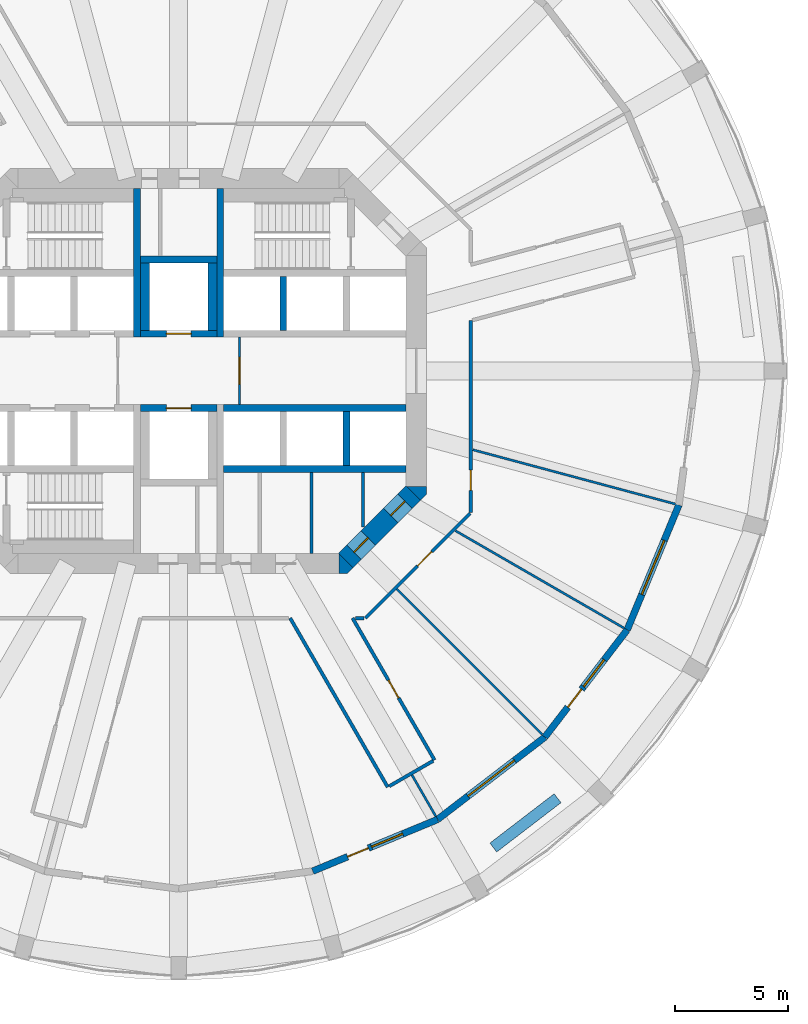
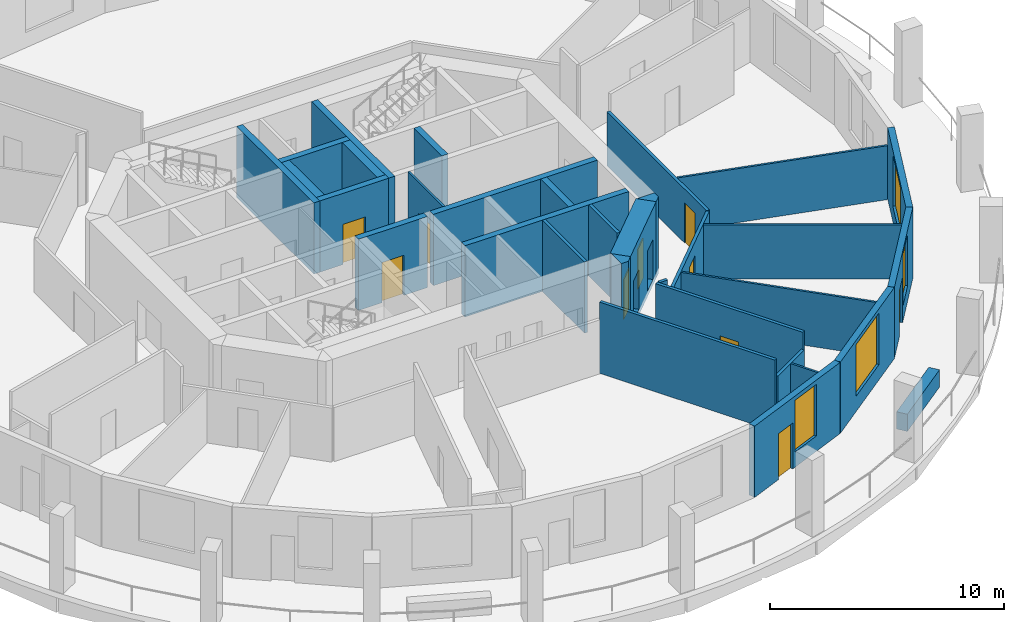
# One storey, part 4 of 9: 32 walls, 10 doors, 4 windows, 14 openings.
"""IFC4 building model written with IfcOpenShell, lengths in metres."""

from ifc_helpers import new_model, si_unit, direction, frame, frame_2d, origin, place, context, subcontext, project, spatial, polyline, rectangle, outline, extrude, material, layer, layer_set, type_object, element, fill, save


model = new_model("IFC4")

# Units and contexts
model_context = context("Model", 3, precision=1e-05, world=origin(), true_north=direction((0.0, 1.0)))
body_context = subcontext(model_context, "Body", "Model", "MODEL_VIEW")
ifc_project = project(units=[si_unit("LENGTHUNIT", "METRE"), si_unit("AREAUNIT", "SQUARE_METRE"), si_unit("VOLUMEUNIT", "CUBIC_METRE"), si_unit("PLANEANGLEUNIT", "RADIAN"), si_unit("MASSUNIT", "GRAM", prefix="KILO")], contexts=[model_context])

# Site, building, storey
site_placement = place(None, origin())
site = spatial("IfcSite", under=ifc_project, at=site_placement, CompositionType="ELEMENT")
building_placement = place(site_placement, origin())
building = spatial("IfcBuilding", under=site, at=building_placement, Name="Torre Triforio", CompositionType="ELEMENT")
storey_placement = place(building_placement, frame((0.0, 0.0, 63.0)))
storey = spatial("IfcBuildingStorey", under=building, at=storey_placement, Name="L13", CompositionType="ELEMENT", Elevation=63.0)

# Walls
ifc_material_1 = material(Name="Concrete C60", Category="concrete")
ifc_layer_1 = layer(ifc_material_1, 0.300048828125)
ifc_layer_set_1 = layer_set([ifc_layer_1], Name="Concrete C60")
wall_type_1 = type_object("IfcWallType", Name="Core wall 300 mm C60 EI 120", PredefinedType="SHEAR", material=ifc_layer_set_1)
for number, where, z_axis, x_axis, name in (
    (1, (-1.85009765625, 1.5, 0.0), (0.0, 0.0, 1.0), (0.0, 1.0, 0.0), "Core wall"),
    (2, (1.85009765625, 1.5, 0.0), (0.0, 0.0, 1.0), (0.0, 1.0, 0.0), "Core wall"),
):
    element("IfcWall", number, at=place(storey_placement, frame(where, z_axis=z_axis, x_axis=x_axis)), inside=storey, type_object=wall_type_1, Name=name, PredefinedType="SHEAR", context=body_context, shape_type="SweptSolid", body=[
        extrude(rectangle(XDim=6.60009765625, YDim=0.300048828125, at=frame_2d((3.300048828125, 0.0))), origin(), (0.0, 0.0, 1.0), 3.719970703125),
    ])

# Wall, openings, doors
ifc_layer_2 = layer(ifc_material_1, 0.89990234375)
ifc_layer_set_2 = layer_set([ifc_layer_2], Name="Concrete C60")
wall_type_2 = type_object("IfcWallType", Name="Core wall 900 mm C60 EI 120", PredefinedType="SHEAR", material=ifc_layer_set_2)
wall_1_placement = place(storey_placement, frame((10.418212890625, -5.418212890625, -0.280029296875), z_axis=(0.0, 0.0, 1.0), x_axis=(-0.707106781187, -0.707106781187, 0.0)))
wall_1 = element("IfcWall", 3, at=wall_1_placement, inside=storey, type_object=wall_type_2, Name="Core wall", PredefinedType="SHEAR", context=body_context, shape_type="SweptSolid", body=[
    extrude(rectangle(XDim=4.24267578125, YDim=0.89990234375, at=frame_2d((2.121337890625, 0.0))), origin(), (0.0, 0.0, 1.0), 4.0),
])
opening_1_placement = place(wall_1_placement, frame((2.82275390625, 0.0, 0.280029296875)))
opening_1 = element("IfcOpeningElement", 4, at=opening_1_placement, cuts=wall_1, Name="Opening SE-03", PredefinedType="OPENING", context=body_context, shape_type="SweptSolid", body=[
    extrude(rectangle(XDim=0.89990234375, YDim=2.10009765625, at=frame_2d((0.449951171875, 1.050048828125))), frame((0.0, 0.4599609375, 0.0), z_axis=(0.0, -1.0, 0.0), x_axis=(1.0, 0.0, 0.0)), (0.0, 0.0, 1.0), 0.919921875),
])
opening_2_placement = place(wall_1_placement, frame((0.52001953125, 0.0, 0.280029296875)))
opening_2 = element("IfcOpeningElement", 5, at=opening_2_placement, cuts=wall_1, Name="Opening SE-04", PredefinedType="OPENING", context=body_context, shape_type="SweptSolid", body=[
    extrude(rectangle(XDim=0.89990234375, YDim=2.10009765625, at=frame_2d((0.449951171875, 1.050048828125))), frame((0.0, 0.4599609375, 0.0), z_axis=(0.0, -1.0, 0.0), x_axis=(1.0, 0.0, 0.0)), (0.0, 0.0, 1.0), 0.919921875),
])
ifc_material_2 = material(Name="Hollow metal fire door leaf")
door_type_1 = type_object("IfcDoorType", Name="Room door 900 x 2100 EI 60", OperationType="NOTDEFINED", PredefinedType="DOOR", material=ifc_material_2)
door_1_placement = place(opening_1_placement, origin())
door_1 = element("IfcDoor", 6, at=door_1_placement, inside=storey, type_object=door_type_1, Name="Core door SE-03", OperationType="SINGLE_SWING_RIGHT", OverallHeight=2.10009765625, OverallWidth=0.89990234375, PredefinedType="DOOR", context=body_context, shape_type="SweptSolid", body=[
    extrude(rectangle(XDim=0.89990234375, YDim=2.10009765625, at=frame_2d((0.449951171875, 1.050048828125))), frame((0.0, 0.02490234375, 0.0), z_axis=(0.0, -1.0, 0.0), x_axis=(1.0, 0.0, 0.0)), (0.0, 0.0, 1.0), 0.050048828125),
])
fill(opening_1, door_1)
door_2_placement = place(opening_2_placement, origin())
door_2 = element("IfcDoor", 7, at=door_2_placement, inside=storey, type_object=door_type_1, Name="Core door SE-04", OperationType="SINGLE_SWING_LEFT", OverallHeight=2.10009765625, OverallWidth=0.89990234375, PredefinedType="DOOR", context=body_context, shape_type="SweptSolid", body=[
    extrude(rectangle(XDim=0.89990234375, YDim=2.10009765625, at=frame_2d((0.449951171875, 1.050048828125))), frame((0.0, 0.02490234375, 0.0), z_axis=(0.0, -1.0, 0.0), x_axis=(1.0, 0.0, 0.0)), (0.0, 0.0, 1.0), 0.050048828125),
])
fill(opening_2, door_2)

# Walls
wall_2_placement = place(storey_placement, frame((0.0, 0.0, -0.280029296875)))
element("IfcWall", 8, at=wall_2_placement, inside=storey, type_object=wall_type_2, Name="Core wall", PredefinedType="SHEAR", context=body_context, shape_type="SweptSolid", body=[
    extrude(outline(polyline([(7.472900390625, -9.0), (7.1298828125, -9.0), (7.1298828125, -8.1298828125), (7.736328125, -8.736328125), (7.472900390625, -9.0)])), origin(), (0.0, 0.0, 1.0), 4.0),
])
wall_3_placement = place(storey_placement, frame((0.0, 0.0, -0.280029296875)))
element("IfcWall", 9, at=wall_3_placement, inside=storey, type_object=wall_type_2, Name="Core wall", PredefinedType="SHEAR", context=body_context, shape_type="SweptSolid", body=[
    extrude(outline(polyline([(11.0, -5.472900390625), (10.736328125, -5.736328125), (10.1298828125, -5.1298828125), (11.0, -5.1298828125), (11.0, -5.472900390625)])), origin(), (0.0, 0.0, 1.0), 4.0),
])

# Wall, opening, door
ifc_material_3 = material(Name="Plasterboard on metal studs")
ifc_layer_3 = layer(ifc_material_3, 0.14990234375)
ifc_layer_set_3 = layer_set([ifc_layer_3], Name="Plasterboard on metal studs")
wall_type_3 = type_object("IfcWallType", Name="Corridor and tenancy wall 150 mm EI 60", PredefinedType="PARTITIONING", material=ifc_layer_set_3)
wall_4_placement = place(storey_placement, frame((12.97509765625, 2.234375, 0.0), z_axis=(0.0, 0.0, 1.0), x_axis=(0.0, -1.0, 0.0)))
wall_4 = element("IfcWall", 10, at=wall_4_placement, inside=storey, type_object=wall_type_3, Name="Partition 15", PredefinedType="PARTITIONING", context=body_context, shape_type="SweptSolid", body=[
    extrude(rectangle(XDim=8.525390625, YDim=0.14990234375, at=frame_2d((4.2626953125, 0.0))), origin(), (0.0, 0.0, 1.0), 2.820068359375),
])
opening_3_placement = place(wall_4_placement, frame((6.64306640625, 0.0, 0.0)))
opening_3 = element("IfcOpeningElement", 11, at=opening_3_placement, cuts=wall_4, Name="Opening N4-08", PredefinedType="OPENING", context=body_context, shape_type="SweptSolid", body=[
    extrude(rectangle(XDim=0.89990234375, YDim=2.10009765625, at=frame_2d((0.449951171875, 1.050048828125))), frame((0.0, 0.0849609375, 0.0), z_axis=(0.0, -1.0, 0.0), x_axis=(1.0, 0.0, 0.0)), (0.0, 0.0, 1.0), 0.169921875),
])
ifc_material_4 = material(Name="Timber", Category="wood")
door_type_2 = type_object("IfcDoorType", Name="Door 900 x 2100 single leaf EI 30", OperationType="NOTDEFINED", PredefinedType="DOOR", material=ifc_material_4)
door_3_placement = place(opening_3_placement, origin())
door_3 = element("IfcDoor", 12, at=door_3_placement, inside=storey, type_object=door_type_2, Name="Door N4-08", OperationType="SINGLE_SWING_LEFT", OverallHeight=2.10009765625, OverallWidth=0.89990234375, PredefinedType="DOOR", context=body_context, shape_type="SweptSolid", body=[
    extrude(rectangle(XDim=0.89990234375, YDim=2.10009765625, at=frame_2d((0.449951171875, 1.050048828125))), frame((0.0, 0.02490234375, 0.0), z_axis=(0.0, -1.0, 0.0), x_axis=(1.0, 0.0, 0.0)), (0.0, 0.0, 1.0), 0.050048828125),
])
fill(opening_3, door_3)

wall_5_placement = place(storey_placement, frame((12.93798828125, -6.327880859375, 0.0), z_axis=(0.0, 0.0, 1.0), x_axis=(-0.707088206597, -0.707125355289, 0.0)))
wall_5 = element("IfcWall", 13, at=wall_5_placement, inside=storey, type_object=wall_type_3, Name="Partition 16", PredefinedType="PARTITIONING", context=body_context, shape_type="SweptSolid", body=[
    extrude(rectangle(XDim=6.572021484375, YDim=0.14990234375, at=frame_2d((3.2861328125, 0.0))), origin(), (0.0, 0.0, 1.0), 2.820068359375),
])
opening_4_placement = place(wall_5_placement, frame((2.39794921875, 0.0, 0.0)))
opening_4 = element("IfcOpeningElement", 14, at=opening_4_placement, cuts=wall_5, Name="Opening N4-07", PredefinedType="OPENING", context=body_context, shape_type="SweptSolid", body=[
    extrude(rectangle(XDim=0.89990234375, YDim=2.10009765625, at=frame_2d((0.449951171875, 1.050048828125))), frame((0.0, 0.0849609375, 0.0), z_axis=(0.0, -1.0, 0.0), x_axis=(1.0, 0.0, 0.0)), (0.0, 0.0, 1.0), 0.169921875),
])
door_4_placement = place(opening_4_placement, origin())
door_4 = element("IfcDoor", 15, at=door_4_placement, inside=storey, type_object=door_type_2, Name="Door N4-07", OperationType="SINGLE_SWING_LEFT", OverallHeight=2.10009765625, OverallWidth=0.89990234375, PredefinedType="DOOR", context=body_context, shape_type="SweptSolid", body=[
    extrude(rectangle(XDim=0.89990234375, YDim=2.10009765625, at=frame_2d((0.449951171875, 1.050048828125))), frame((0.0, 0.02490234375, 0.0), z_axis=(0.0, -1.0, 0.0), x_axis=(1.0, 0.0, 0.0)), (0.0, 0.0, 1.0), 0.050048828125),
])
fill(opening_4, door_4)

# Wall
wall_6_placement = place(storey_placement, frame((8.23828125, -10.97509765625, 0.0), z_axis=(0.0, 0.0, 1.0), x_axis=(-1.0, 0.0, 0.0)))
element("IfcWall", 16, at=wall_6_placement, inside=storey, type_object=wall_type_3, Name="Partition 17", PredefinedType="PARTITIONING", context=body_context, shape_type="SweptSolid", body=[
    extrude(rectangle(XDim=0.38623046875, YDim=0.14990234375, at=frame_2d((0.193115234375, 0.0))), origin(), (0.0, 0.0, 1.0), 3.719970703125),
])

# Wall, opening, door
wall_7_placement = place(storey_placement, frame((7.72216796875, -10.97509765625, 0.0), z_axis=(0.0, 0.0, 1.0), x_axis=(0.499993290699, -0.866029277366, 0.0)))
wall_7 = element("IfcWall", 17, at=wall_7_placement, inside=storey, type_object=wall_type_3, Name="Partition 18", PredefinedType="PARTITIONING", context=body_context, shape_type="SweptSolid", body=[
    extrude(rectangle(XDim=7.28271484375, YDim=0.14990234375, at=frame_2d((3.641357421875, 0.0))), origin(), (0.0, 0.0, 1.0), 3.719970703125),
])
opening_5_placement = place(wall_7_placement, frame((3.19140625, 0.0, 0.0)))
opening_5 = element("IfcOpeningElement", 18, at=opening_5_placement, cuts=wall_7, Name="Opening N4-06", PredefinedType="OPENING", context=body_context, shape_type="SweptSolid", body=[
    extrude(rectangle(XDim=0.89990234375, YDim=2.10009765625, at=frame_2d((0.449951171875, 1.050048828125))), frame((0.0, 0.0849609375, 0.0), z_axis=(0.0, -1.0, 0.0), x_axis=(1.0, 0.0, 0.0)), (0.0, 0.0, 1.0), 0.169921875),
])
door_5_placement = place(opening_5_placement, origin())
door_5 = element("IfcDoor", 19, at=door_5_placement, inside=storey, type_object=door_type_2, Name="Door N4-06", OperationType="SINGLE_SWING_LEFT", OverallHeight=2.10009765625, OverallWidth=0.89990234375, PredefinedType="DOOR", context=body_context, shape_type="SweptSolid", body=[
    extrude(rectangle(XDim=0.89990234375, YDim=2.10009765625, at=frame_2d((0.449951171875, 1.050048828125))), frame((0.0, 0.02490234375, 0.0), z_axis=(0.0, -1.0, 0.0), x_axis=(1.0, 0.0, 0.0)), (0.0, 0.0, 1.0), 0.050048828125),
])
fill(opening_5, door_5)

# Walls
wall_8_placement = place(storey_placement, frame((11.298583984375, -17.31982421875, 0.0), z_axis=(0.0, 0.0, 1.0), x_axis=(-0.866017533419, -0.500013631625, 0.0)))
element("IfcWall", 20, at=wall_8_placement, inside=storey, type_object=wall_type_3, Name="Partition 19", PredefinedType="PARTITIONING", context=body_context, shape_type="SweptSolid", body=[
    extrude(rectangle(XDim=2.25, YDim=0.14990234375, at=frame_2d((1.125, 0.0))), origin(), (0.0, 0.0, 1.0), 2.820068359375),
])
wall_9_placement = place(storey_placement, frame((9.28515625, -18.482421875, 0.0), z_axis=(0.0, 0.0, 1.0), x_axis=(-0.500010122307, 0.866019559589, 0.0)))
element("IfcWall", 21, at=wall_9_placement, inside=storey, type_object=wall_type_3, Name="Partition 20", PredefinedType="PARTITIONING", context=body_context, shape_type="SweptSolid", body=[
    extrude(rectangle(XDim=8.668701171875, YDim=0.14990234375, at=frame_2d((4.33447265625, 0.0))), origin(), (0.0, 0.0, 1.0), 3.719970703125),
])

# Wall, opening, door
ifc_material_5 = material(Name="Block and board partition")
ifc_layer_4 = layer(ifc_material_5, 0.10009765625)
ifc_layer_set_4 = layer_set([ifc_layer_4], Name="Block and board partition")
wall_type_4 = type_object("IfcWallType", Name="Partition 100 mm EI 120", PredefinedType="PARTITIONING", material=ifc_layer_set_4)
wall_10_placement = place(storey_placement, frame((2.699951171875, -1.5, 0.0), z_axis=(0.0, 0.0, 1.0), x_axis=(0.0, 1.0, 0.0)))
wall_10 = element("IfcWall", 22, at=wall_10_placement, inside=storey, type_object=wall_type_4, Name="Partition", PredefinedType="PARTITIONING", context=body_context, shape_type="SweptSolid", body=[
    extrude(rectangle(XDim=3.0, YDim=0.10009765625, at=frame_2d((1.5, 0.0))), origin(), (0.0, 0.0, 1.0), 3.719970703125),
])
opening_6_placement = place(wall_10_placement, frame((0.89990234375, 0.0, 0.0)))
opening_6 = element("IfcOpeningElement", 23, at=opening_6_placement, cuts=wall_10, Name="Opening FF-E", PredefinedType="OPENING", context=body_context, shape_type="SweptSolid", body=[
    extrude(rectangle(XDim=1.199951171875, YDim=2.10009765625, at=frame_2d((0.60009765625, 1.050048828125))), frame((0.0, 0.06005859375, 0.0), z_axis=(0.0, -1.0, 0.0), x_axis=(1.0, 0.0, 0.0)), (0.0, 0.0, 1.0), 0.1201171875),
])
door_type_3 = type_object("IfcDoorType", Name="Fire-fighting lobby door 1200 x 2100 EI 60", OperationType="NOTDEFINED", PredefinedType="DOOR", material=ifc_material_2)
door_6_placement = place(opening_6_placement, origin())
door_6 = element("IfcDoor", 24, at=door_6_placement, inside=storey, type_object=door_type_3, Name="Core door FF-E", OperationType="SINGLE_SWING_LEFT", OverallHeight=2.10009765625, OverallWidth=1.199951171875, PredefinedType="DOOR", context=body_context, shape_type="SweptSolid", body=[
    extrude(rectangle(XDim=1.199951171875, YDim=2.10009765625, at=frame_2d((0.60009765625, 1.050048828125))), frame((0.0, 0.02490234375, 0.0), z_axis=(0.0, -1.0, 0.0), x_axis=(1.0, 0.0, 0.0)), (0.0, 0.0, 1.0), 0.050048828125),
])
fill(opening_6, door_6)

# Walls
ifc_layer_5 = layer(ifc_material_3, 0.10009765625)
ifc_layer_set_5 = layer_set([ifc_layer_5], Name="Plasterboard on metal studs")
wall_type_5 = type_object("IfcWallType", Name="Partition 100 mm board on metal studs", PredefinedType="PARTITIONING", material=ifc_layer_set_5)
wall_11_placement = place(storey_placement, frame((10.36181640625, -17.947265625, 0.0), z_axis=(0.0, 0.0, 1.0), x_axis=(0.500065834316, -0.865987390988, 0.0)))
element("IfcWall", 25, at=wall_11_placement, inside=storey, type_object=wall_type_5, Name="Partition 37", PredefinedType="PARTITIONING", context=body_context, shape_type="SweptSolid", body=[
    extrude(rectangle(XDim=2.113037109375, YDim=0.10009765625, at=frame_2d((1.056640625, 0.0))), origin(), (0.0, 0.0, 1.0), 2.820068359375),
])
wall_12_placement = place(storey_placement, frame((9.68603515625, -9.68603515625, 0.0), z_axis=(0.0, 0.0, 1.0), x_axis=(0.707106781187, -0.707106781187, 0.0)))
element("IfcWall", 26, at=wall_12_placement, inside=storey, type_object=wall_type_5, Name="Partition 38", PredefinedType="PARTITIONING", context=body_context, shape_type="SweptSolid", body=[
    extrude(rectangle(XDim=9.138427734375, YDim=0.10009765625, at=frame_2d((4.5693359375, 0.0))), origin(), (0.0, 0.0, 1.0), 2.820068359375),
])
wall_13_placement = place(storey_placement, frame((12.294189453125, -7.097900390625, 0.0), z_axis=(0.0, 0.0, 1.0), x_axis=(0.866010547425, -0.500025731086, 0.0)))
element("IfcWall", 27, at=wall_13_placement, inside=storey, type_object=wall_type_5, Name="Partition 39", PredefinedType="PARTITIONING", context=body_context, shape_type="SweptSolid", body=[
    extrude(rectangle(XDim=8.640625, YDim=0.10009765625, at=frame_2d((4.3203125, 0.0))), origin(), (0.0, 0.0, 1.0), 2.820068359375),
])
wall_14_placement = place(storey_placement, frame((13.064208984375, -3.50048828125, 0.0), z_axis=(0.0, 0.0, 1.0), x_axis=(0.965922655056, -0.258830880017, 0.0)))
element("IfcWall", 28, at=wall_14_placement, inside=storey, type_object=wall_type_5, Name="Partition 40", PredefinedType="PARTITIONING", context=body_context, shape_type="SweptSolid", body=[
    extrude(rectangle(XDim=9.311767578125, YDim=0.10009765625, at=frame_2d((4.65576171875, 0.0))), origin(), (0.0, 0.0, 1.0), 2.820068359375),
])
ifc_layer_6 = layer(ifc_material_5, 0.14990234375)
ifc_layer_set_6 = layer_set([ifc_layer_6], Name="Block and board partition")
wall_type_6 = type_object("IfcWallType", Name="Partition 150 mm", PredefinedType="PARTITIONING", material=ifc_layer_set_6)
wall_15_placement = place(storey_placement, frame((5.89697265625, -8.10009765625, 0.0), z_axis=(0.0, 0.0, 1.0), x_axis=(0.0, 1.0, 0.0)))
element("IfcWall", 29, at=wall_15_placement, inside=storey, type_object=wall_type_6, Name="Partition", PredefinedType="PARTITIONING", context=body_context, shape_type="SweptSolid", body=[
    extrude(rectangle(XDim=3.60009765625, YDim=0.14990234375, at=frame_2d((1.800048828125, 0.0))), origin(), (0.0, 0.0, 1.0), 3.719970703125),
])
wall_16_placement = place(storey_placement, frame((8.18896484375, -6.93603515625, 0.0), z_axis=(0.0, 0.0, 1.0), x_axis=(0.0, 1.0, 0.0)))
element("IfcWall", 30, at=wall_16_placement, inside=storey, type_object=wall_type_6, Name="Partition", PredefinedType="PARTITIONING", context=body_context, shape_type="SweptSolid", body=[
    extrude(rectangle(XDim=2.43603515625, YDim=0.14990234375, at=frame_2d((1.218017578125, 0.0))), origin(), (0.0, 0.0, 1.0), 3.719970703125),
])
ifc_material_6 = material(Name="Limestone cladding", Category="masonry")
ifc_layer_7 = layer(ifc_material_6, 0.10009765625)
ifc_material_7 = material(Name="Concrete C40", Category="concrete")
ifc_layer_8 = layer(ifc_material_7, 0.39990234375)
ifc_layer_set_7 = layer_set([ifc_layer_7, ifc_layer_8], Name="Limestone cladding / Concrete C40")
wall_type_7 = type_object("IfcWallType", Name="Planter wall 500", PredefinedType="PARAPET", material=ifc_layer_set_7)
wall_17_placement = place(storey_placement, frame((13.9736328125, -21.16748046875, 0.0), z_axis=(0.0, 0.0, 1.0), x_axis=(0.793359599829, 0.608753271334, 0.0)))
element("IfcWall", 31, at=wall_17_placement, inside=storey, type_object=wall_type_7, Name="Planter L13 bay 21", PredefinedType="PARAPET", context=body_context, shape_type="SweptSolid", body=[
    extrude(rectangle(XDim=3.599853515625, YDim=0.5, at=frame_2d((1.7998046875, 0.0))), origin(), (0.0, 0.0, 1.0), 0.89990234375),
])
ifc_layer_9 = layer(ifc_material_1, 0.300048828125)
ifc_layer_set_8 = layer_set([ifc_layer_9], Name="Concrete C60")
wall_type_8 = type_object("IfcWallType", Name="Shaft wall 300 mm C60 EI 120", PredefinedType="SOLIDWALL", material=ifc_layer_set_8)
for number, where, z_axis, x_axis, name in (
    (32, (2.0, -4.35009765625, 0.0), (0.0, 0.0, 1.0), (1.0, 0.0, 0.0), "Shaft wall"),
    (33, (2.0, -1.64990234375, 0.0), (0.0, 0.0, 1.0), (1.0, 0.0, 0.0), "Shaft wall"),
):
    element("IfcWall", number, at=place(storey_placement, frame(where, z_axis=z_axis, x_axis=x_axis)), inside=storey, type_object=wall_type_8, Name=name, PredefinedType="SOLIDWALL", context=body_context, shape_type="SweptSolid", body=[
        extrude(rectangle(XDim=8.10009765625, YDim=0.300048828125, at=frame_2d((4.050048828125, 0.0))), origin(), (0.0, 0.0, 1.0), 3.719970703125),
    ])
for number, where, z_axis, x_axis, name in (
    (34, (4.64990234375, 1.800048828125, 0.0), (0.0, 0.0, 1.0), (0.0, 1.0, 0.0), "Shaft wall"),
    (35, (7.449951171875, -4.199951171875, 0.0), (0.0, 0.0, 1.0), (0.0, 1.0, 0.0), "Shaft wall"),
):
    element("IfcWall", number, at=place(storey_placement, frame(where, z_axis=z_axis, x_axis=x_axis)), inside=storey, type_object=wall_type_8, Name=name, PredefinedType="SOLIDWALL", context=body_context, shape_type="SweptSolid", body=[
        extrude(rectangle(XDim=2.39990234375, YDim=0.300048828125, at=frame_2d((1.199951171875, 0.0))), origin(), (0.0, 0.0, 1.0), 3.719970703125),
    ])

# Wall, opening, door
wall_18_placement = place(storey_placement, frame((-1.699951171875, 1.64990234375, 0.0), z_axis=(0.0, 0.0, 1.0), x_axis=(1.0, 0.0, 0.0)))
wall_18 = element("IfcWall", 36, at=wall_18_placement, inside=storey, type_object=wall_type_8, Name="Shaft wall", PredefinedType="SOLIDWALL", context=body_context, shape_type="SweptSolid", body=[
    extrude(rectangle(XDim=3.39990234375, YDim=0.300048828125, at=frame_2d((1.699951171875, 0.0))), origin(), (0.0, 0.0, 1.0), 3.719970703125),
])
opening_7_placement = place(wall_18_placement, frame((1.14990234375, 0.0, 0.0)))
opening_7 = element("IfcOpeningElement", 37, at=opening_7_placement, cuts=wall_18, Name="Opening LD", PredefinedType="OPENING", context=body_context, shape_type="SweptSolid", body=[
    extrude(rectangle(XDim=1.10009765625, YDim=2.10009765625, at=frame_2d((0.550048828125, 1.050048828125))), frame((0.0, 0.159912109375, 0.0), z_axis=(0.0, -1.0, 0.0), x_axis=(1.0, 0.0, 0.0)), (0.0, 0.0, 1.0), 0.320068359375),
])
door_type_4 = type_object("IfcDoorType", Name="Landing door 1100 x 2100 EI 60", OperationType="DOUBLE_DOOR_SLIDING", PredefinedType="DOOR", material=ifc_material_2)
door_7_placement = place(opening_7_placement, origin())
door_7 = element("IfcDoor", 38, at=door_7_placement, inside=storey, type_object=door_type_4, Name="Landing door FFL1", OperationType="DOUBLE_DOOR_SLIDING", OverallHeight=2.10009765625, OverallWidth=1.10009765625, PredefinedType="DOOR", context=body_context, shape_type="SweptSolid", body=[
    extrude(rectangle(XDim=1.10009765625, YDim=2.10009765625, at=frame_2d((0.550048828125, 1.050048828125))), frame((0.0, 0.02490234375, 0.0), z_axis=(0.0, -1.0, 0.0), x_axis=(1.0, 0.0, 0.0)), (0.0, 0.0, 1.0), 0.050048828125),
])
fill(opening_7, door_7)

wall_19_placement = place(storey_placement, frame((-1.699951171875, -1.64990234375, 0.0), z_axis=(0.0, 0.0, 1.0), x_axis=(1.0, 0.0, 0.0)))
wall_19 = element("IfcWall", 39, at=wall_19_placement, inside=storey, type_object=wall_type_8, Name="Shaft wall", PredefinedType="SOLIDWALL", context=body_context, shape_type="SweptSolid", body=[
    extrude(rectangle(XDim=3.39990234375, YDim=0.300048828125, at=frame_2d((1.699951171875, 0.0))), origin(), (0.0, 0.0, 1.0), 3.719970703125),
])
opening_8_placement = place(wall_19_placement, frame((1.14990234375, 0.0, 0.0)))
opening_8 = element("IfcOpeningElement", 40, at=opening_8_placement, cuts=wall_19, Name="Opening LD", PredefinedType="OPENING", context=body_context, shape_type="SweptSolid", body=[
    extrude(rectangle(XDim=1.10009765625, YDim=2.10009765625, at=frame_2d((0.550048828125, 1.050048828125))), frame((0.0, 0.159912109375, 0.0), z_axis=(0.0, -1.0, 0.0), x_axis=(1.0, 0.0, 0.0)), (0.0, 0.0, 1.0), 0.320068359375),
])
door_8_placement = place(opening_8_placement, origin())
door_8 = element("IfcDoor", 41, at=door_8_placement, inside=storey, type_object=door_type_4, Name="Landing door FFL2", OperationType="DOUBLE_DOOR_SLIDING", OverallHeight=2.10009765625, OverallWidth=1.10009765625, PredefinedType="DOOR", context=body_context, shape_type="SweptSolid", body=[
    extrude(rectangle(XDim=1.10009765625, YDim=2.10009765625, at=frame_2d((0.550048828125, 1.050048828125))), frame((0.0, 0.02490234375, 0.0), z_axis=(0.0, -1.0, 0.0), x_axis=(1.0, 0.0, 0.0)), (0.0, 0.0, 1.0), 0.050048828125),
])
fill(opening_8, door_8)

# Walls
wall_20_placement = place(storey_placement, frame((-1.699951171875, 4.949951171875, 0.0), z_axis=(0.0, 0.0, 1.0), x_axis=(1.0, 0.0, 0.0)))
element("IfcWall", 42, at=wall_20_placement, inside=storey, type_object=wall_type_8, Name="Shaft wall", PredefinedType="SOLIDWALL", context=body_context, shape_type="SweptSolid", body=[
    extrude(rectangle(XDim=3.39990234375, YDim=0.300048828125, at=frame_2d((1.699951171875, 0.0))), origin(), (0.0, 0.0, 1.0), 3.719970703125),
])
ifc_layer_10 = layer(ifc_material_1, 0.39990234375)
ifc_layer_set_9 = layer_set([ifc_layer_10], Name="Concrete C60")
wall_type_9 = type_object("IfcWallType", Name="Shaft wall 400 mm C60 EI 120", PredefinedType="SOLIDWALL", material=ifc_layer_set_9)
for number, where, z_axis, x_axis, name in (
    (43, (-1.5, 1.800048828125, 0.0), (0.0, 0.0, 1.0), (0.0, 1.0, 0.0), "Shaft wall"),
    (44, (1.5, 1.800048828125, 0.0), (0.0, 0.0, 1.0), (0.0, 1.0, 0.0), "Shaft wall"),
):
    element("IfcWall", number, at=place(storey_placement, frame(where, z_axis=z_axis, x_axis=x_axis)), inside=storey, type_object=wall_type_9, Name=name, PredefinedType="SOLIDWALL", context=body_context, shape_type="SweptSolid", body=[
        extrude(rectangle(XDim=3.0, YDim=0.39990234375, at=frame_2d((1.5, 0.0))), origin(), (0.0, 0.0, 1.0), 3.719970703125),
    ])

# Wall, openings, door, window
ifc_layer_11 = layer(ifc_material_6, 0.10009765625)
ifc_layer_12 = layer(ifc_material_7, 0.199951171875)
ifc_layer_set_10 = layer_set([ifc_layer_11, ifc_layer_12], Name="Limestone cladding / Concrete C40")
wall_type_10 = type_object("IfcWallType", Name="Stone-faced composite wall 300", PredefinedType="STANDARD", material=ifc_layer_set_10)
wall_21_placement = place(storey_placement, frame((5.952880859375, -22.21630859375, 0.0), z_axis=(0.0, 0.0, 1.0), x_axis=(0.923884511653, 0.382671411433, 0.0)))
wall_21 = element("IfcWall", 45, at=wall_21_placement, inside=storey, type_object=wall_type_10, Name="External wall L13 bay 20", PredefinedType="STANDARD", context=body_context, shape_type="SweptSolid", body=[
    extrude(rectangle(XDim=6.004150390625, YDim=0.300048828125, at=frame_2d((3.001953125, 0.0))), origin(), (0.0, 0.0, 1.0), 3.719970703125),
])
opening_9_placement = place(wall_21_placement, frame((1.677001953125, 0.0, 0.0)))
opening_9 = element("IfcOpeningElement", 46, at=opening_9_placement, cuts=wall_21, Name="Opening N4-D20", PredefinedType="OPENING", context=body_context, shape_type="SweptSolid", body=[
    extrude(rectangle(XDim=1.0, YDim=2.39990234375, at=frame_2d((0.5, 1.199951171875))), frame((0.0, 0.159912109375, 0.0), z_axis=(0.0, -1.0, 0.0), x_axis=(1.0, 0.0, 0.0)), (0.0, 0.0, 1.0), 0.320068359375),
])
opening_10_placement = place(wall_21_placement, frame((2.8271484375, 0.0, 0.800048828125)))
opening_10 = element("IfcOpeningElement", 47, at=opening_10_placement, cuts=wall_21, Name="Opening N4-W20A", PredefinedType="OPENING", context=body_context, shape_type="SweptSolid", body=[
    extrude(rectangle(XDim=1.5, YDim=2.699951171875, at=frame_2d((0.75, 1.35009765625))), frame((0.0, 0.159912109375, 0.0), z_axis=(0.0, -1.0, 0.0), x_axis=(1.0, 0.0, 0.0)), (0.0, 0.0, 1.0), 0.320068359375),
])
ifc_material_8 = material(Name="Aluminium frame with clear double glazing", Category="aluminium")
door_type_5 = type_object("IfcDoorType", Name="Loggia door 1000 x 2400", OperationType="NOTDEFINED", PredefinedType="DOOR", material=ifc_material_8)
door_9_placement = place(opening_9_placement, origin())
door_9 = element("IfcDoor", 48, at=door_9_placement, inside=storey, type_object=door_type_5, Name="Loggia door L13 bay 20", OperationType="SINGLE_SWING_LEFT", OverallHeight=2.39990234375, OverallWidth=1.0, PredefinedType="DOOR", context=body_context, shape_type="SweptSolid", body=[
    extrude(rectangle(XDim=1.0, YDim=2.39990234375, at=frame_2d((0.5, 1.199951171875))), frame((0.0, 0.02490234375, 0.0), z_axis=(0.0, -1.0, 0.0), x_axis=(1.0, 0.0, 0.0)), (0.0, 0.0, 1.0), 0.050048828125),
])
fill(opening_9, door_9)
window_type_1 = type_object("IfcWindowType", Name="Side window 1500 x 2700", PartitioningType="SINGLE_PANEL", PredefinedType="WINDOW", material=ifc_material_8)
window_1_placement = place(opening_10_placement, origin())
window_1 = element("IfcWindow", 49, at=window_1_placement, inside=storey, type_object=window_type_1, Name="Side window EWN12 L13 bay 20", OverallHeight=2.699951171875, OverallWidth=1.5, PartitioningType="SINGLE_PANEL", PredefinedType="WINDOW", context=body_context, shape_type="SweptSolid", body=[
    extrude(rectangle(XDim=1.5, YDim=2.699951171875, at=frame_2d((0.75, 1.35009765625))), frame((0.0, 0.030029296875, 0.0), z_axis=(0.0, -1.0, 0.0), x_axis=(1.0, 0.0, 0.0)), (0.0, 0.0, 1.0), 0.06005859375),
])
fill(opening_10, window_1)

# Wall, opening, window
wall_22_placement = place(storey_placement, frame((11.5, -19.918701171875, 0.0), z_axis=(0.0, 0.0, 1.0), x_axis=(0.793339924758, 0.608778912074, 0.0)))
wall_22 = element("IfcWall", 50, at=wall_22_placement, inside=storey, type_object=wall_type_10, Name="External wall L13 bay 21", PredefinedType="STANDARD", context=body_context, shape_type="SweptSolid", body=[
    extrude(rectangle(XDim=6.004150390625, YDim=0.300048828125, at=frame_2d((3.001953125, 0.0))), origin(), (0.0, 0.0, 1.0), 3.719970703125),
])
opening_11_placement = place(wall_22_placement, frame((1.7021484375, 0.0, 0.800048828125)))
opening_11 = element("IfcOpeningElement", 51, at=opening_11_placement, cuts=wall_22, Name="Opening N4-W21", PredefinedType="OPENING", context=body_context, shape_type="SweptSolid", body=[
    extrude(rectangle(XDim=2.60009765625, YDim=2.699951171875, at=frame_2d((1.300048828125, 1.35009765625))), frame((0.0, 0.159912109375, 0.0), z_axis=(0.0, -1.0, 0.0), x_axis=(1.0, 0.0, 0.0)), (0.0, 0.0, 1.0), 0.320068359375),
])
window_type_2 = type_object("IfcWindowType", Name="Punched window 2600 x 2700", PartitioningType="DOUBLE_PANEL_VERTICAL", PredefinedType="WINDOW", material=ifc_material_8)
window_2_placement = place(opening_11_placement, origin())
window_2 = element("IfcWindow", 52, at=window_2_placement, inside=storey, type_object=window_type_2, Name="Window EWN2 L13 bay 21", OverallHeight=2.699951171875, OverallWidth=2.60009765625, PartitioningType="SINGLE_PANEL", PredefinedType="WINDOW", context=body_context, shape_type="SweptSolid", body=[
    extrude(rectangle(XDim=2.60009765625, YDim=2.699951171875, at=frame_2d((1.300048828125, 1.35009765625))), frame((0.0, 0.030029296875, 0.0), z_axis=(0.0, -1.0, 0.0), x_axis=(1.0, 0.0, 0.0)), (0.0, 0.0, 1.0), 0.06005859375),
])
fill(opening_11, window_2)

# Wall, openings, door, window
wall_23_placement = place(storey_placement, frame((16.263427734375, -16.263427734375, 0.0), z_axis=(0.0, 0.0, 1.0), x_axis=(0.608778912074, 0.793339924758, 0.0)))
wall_23 = element("IfcWall", 53, at=wall_23_placement, inside=storey, type_object=wall_type_10, Name="External wall L13 bay 22", PredefinedType="STANDARD", context=body_context, shape_type="SweptSolid", body=[
    extrude(rectangle(XDim=6.004150390625, YDim=0.300048828125, at=frame_2d((3.001953125, 0.0))), origin(), (0.0, 0.0, 1.0), 3.719970703125),
])
opening_12_placement = place(wall_23_placement, frame((1.677001953125, 0.0, 0.0)))
opening_12 = element("IfcOpeningElement", 54, at=opening_12_placement, cuts=wall_23, Name="Opening N4-D22", PredefinedType="OPENING", context=body_context, shape_type="SweptSolid", body=[
    extrude(rectangle(XDim=1.0, YDim=2.39990234375, at=frame_2d((0.5, 1.199951171875))), frame((0.0, 0.159912109375, 0.0), z_axis=(0.0, -1.0, 0.0), x_axis=(1.0, 0.0, 0.0)), (0.0, 0.0, 1.0), 0.320068359375),
])
opening_13_placement = place(wall_23_placement, frame((2.8271484375, 0.0, 0.800048828125)))
opening_13 = element("IfcOpeningElement", 55, at=opening_13_placement, cuts=wall_23, Name="Opening N4-W22A", PredefinedType="OPENING", context=body_context, shape_type="SweptSolid", body=[
    extrude(rectangle(XDim=1.5, YDim=2.699951171875, at=frame_2d((0.75, 1.35009765625))), frame((0.0, 0.159912109375, 0.0), z_axis=(0.0, -1.0, 0.0), x_axis=(1.0, 0.0, 0.0)), (0.0, 0.0, 1.0), 0.320068359375),
])
door_10_placement = place(opening_12_placement, origin())
door_10 = element("IfcDoor", 56, at=door_10_placement, inside=storey, type_object=door_type_5, Name="Loggia door L13 bay 22", OperationType="SINGLE_SWING_LEFT", OverallHeight=2.39990234375, OverallWidth=1.0, PredefinedType="DOOR", context=body_context, shape_type="SweptSolid", body=[
    extrude(rectangle(XDim=1.0, YDim=2.39990234375, at=frame_2d((0.5, 1.199951171875))), frame((0.0, 0.02490234375, 0.0), z_axis=(0.0, -1.0, 0.0), x_axis=(1.0, 0.0, 0.0)), (0.0, 0.0, 1.0), 0.050048828125),
])
fill(opening_12, door_10)
window_3_placement = place(opening_13_placement, origin())
window_3 = element("IfcWindow", 57, at=window_3_placement, inside=storey, type_object=window_type_1, Name="Side window EWN12 L13 bay 22", OverallHeight=2.699951171875, OverallWidth=1.5, PartitioningType="SINGLE_PANEL", PredefinedType="WINDOW", context=body_context, shape_type="SweptSolid", body=[
    extrude(rectangle(XDim=1.5, YDim=2.699951171875, at=frame_2d((0.75, 1.35009765625))), frame((0.0, 0.030029296875, 0.0), z_axis=(0.0, -1.0, 0.0), x_axis=(1.0, 0.0, 0.0)), (0.0, 0.0, 1.0), 0.06005859375),
])
fill(opening_13, window_3)

# Wall, opening, window
wall_24_placement = place(storey_placement, frame((19.918701171875, -11.5, 0.0), z_axis=(0.0, 0.0, 1.0), x_axis=(0.382671411433, 0.923884511653, 0.0)))
wall_24 = element("IfcWall", 58, at=wall_24_placement, inside=storey, type_object=wall_type_10, Name="External wall L13 bay 23", PredefinedType="STANDARD", context=body_context, shape_type="SweptSolid", body=[
    extrude(rectangle(XDim=6.004150390625, YDim=0.300048828125, at=frame_2d((3.001953125, 0.0))), origin(), (0.0, 0.0, 1.0), 3.719970703125),
])
opening_14_placement = place(wall_24_placement, frame((1.7021484375, 0.0, 0.800048828125)))
opening_14 = element("IfcOpeningElement", 59, at=opening_14_placement, cuts=wall_24, Name="Opening N4-W23", PredefinedType="OPENING", context=body_context, shape_type="SweptSolid", body=[
    extrude(rectangle(XDim=2.60009765625, YDim=2.699951171875, at=frame_2d((1.300048828125, 1.35009765625))), frame((0.0, 0.159912109375, 0.0), z_axis=(0.0, -1.0, 0.0), x_axis=(1.0, 0.0, 0.0)), (0.0, 0.0, 1.0), 0.320068359375),
])
window_4_placement = place(opening_14_placement, origin())
window_4 = element("IfcWindow", 60, at=window_4_placement, inside=storey, type_object=window_type_2, Name="Window EWN2 L13 bay 23", OverallHeight=2.699951171875, OverallWidth=2.60009765625, PartitioningType="SINGLE_PANEL", PredefinedType="WINDOW", context=body_context, shape_type="SweptSolid", body=[
    extrude(rectangle(XDim=2.60009765625, YDim=2.699951171875, at=frame_2d((1.300048828125, 1.35009765625))), frame((0.0, 0.030029296875, 0.0), z_axis=(0.0, -1.0, 0.0), x_axis=(1.0, 0.0, 0.0)), (0.0, 0.0, 1.0), 0.06005859375),
])
fill(opening_14, window_4)

save(model, "model.ifc")
